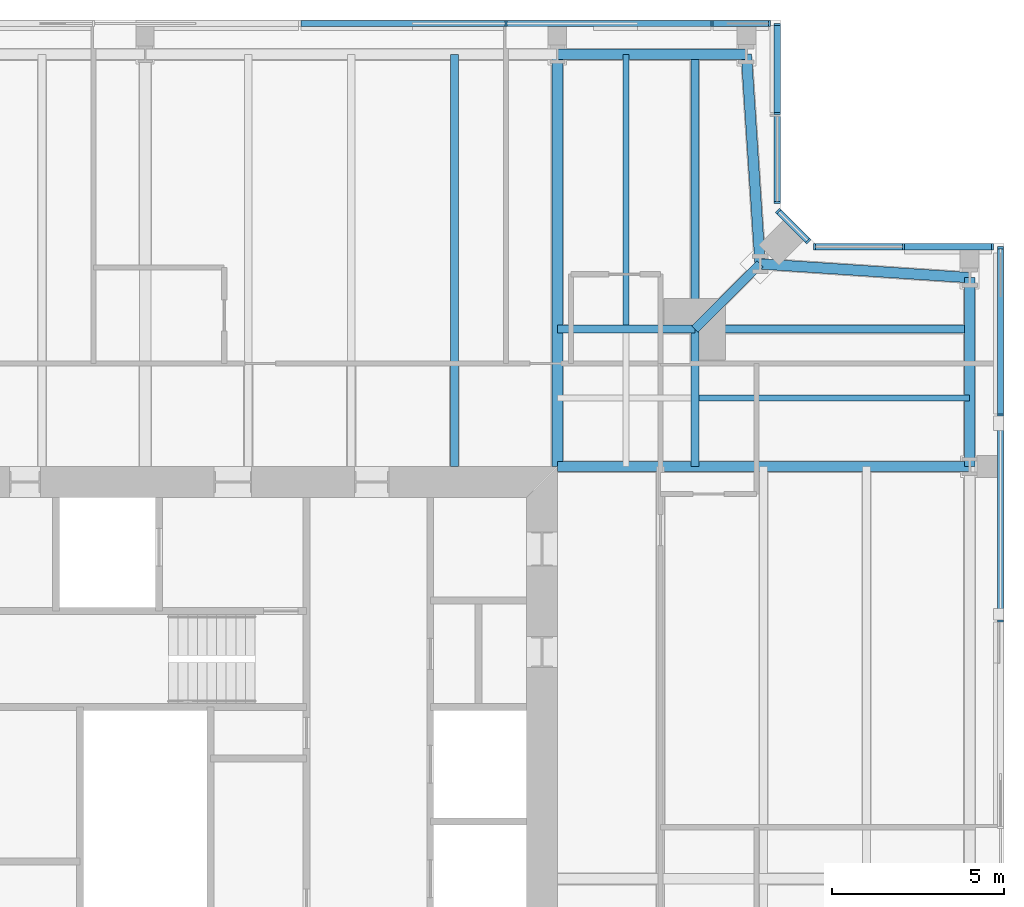
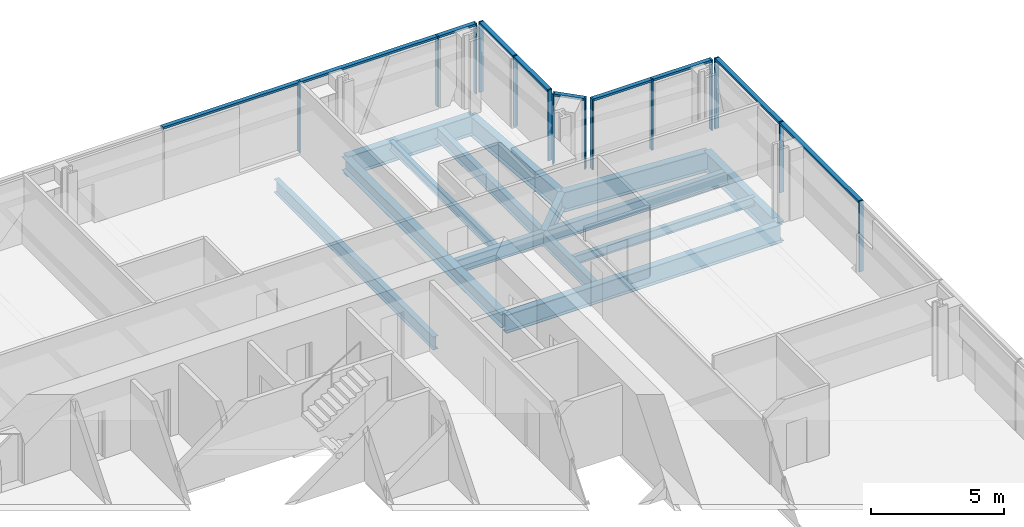
# One storey, part 9 of 20: 24 members, 14 beams, 5 elements without a shape of their own.
"""IFC4 building model written with IfcOpenShell, lengths in metres."""

import ifcopenshell
import ifcopenshell.guid

model = None  # the IFC model being written
_history = None  # IfcOwnerHistory: only IFC2X3 demands one
_inside = {}  # id of a spatial element -> (the spatial element, [elements in it])
_under = {}  # id of a project, library or spatial element -> (it, [spatial elements below it])
_declared = {}  # id of a project -> (the project, [libraries it declares])
_typed = {}  # id of a type object -> (the type object, [elements of that type])
_made_of = {}  # id of a material, layer set ... -> (it, [elements and type objects made of it])


def new_model(schema):
    """Start an empty IFC model of exactly this schema.

    Asked for "IFC4X3", IfcOpenShell would pick the latest addendum, in which some entities
    have other attributes; the version numbers below select the first issue.
    IFC2X3 requires an IfcOwnerHistory on every rooted entity: one is made here for all.
    """
    global model, _history
    if schema == "IFC4X3":
        model = ifcopenshell.file(schema_version=(4, 3, 0, 0))
    else:
        model = ifcopenshell.file(schema=schema)
    _inside.clear()
    _under.clear()
    _declared.clear()
    _typed.clear()
    _made_of.clear()
    _history = None
    if model.schema == "IFC2X3":
        org = make("IfcOrganization", Name="unknown")
        user = make(
            "IfcPersonAndOrganization",
            ThePerson=make("IfcPerson", FamilyName="unknown"),
            TheOrganization=org,
        )
        app = make(
            "IfcApplication",
            ApplicationDeveloper=org,
            Version="unknown",
            ApplicationFullName="unknown",
            ApplicationIdentifier="unknown",
        )
        _history = make(
            "IfcOwnerHistory",
            OwningUser=user,
            OwningApplication=app,
            ChangeAction="ADDED",
            CreationDate=0,
        )
    return model


def make(cls, **values):
    """One entity of the class cls with the attributes given. An attribute that is None is left unset."""
    return model.create_entity(
        cls, **{name: value for name, value in values.items() if value is not None}
    )


def rooted(cls, **values):
    """An entity with a GlobalId (a new one), such as an element, a storey or a relation."""
    return make(cls, GlobalId=ifcopenshell.guid.new(), OwnerHistory=_history, **values)


def si_unit(unit_type, name, prefix=None):
    """IfcSIUnit, for example si_unit("LENGTHUNIT", "METRE", prefix="MILLI")."""
    return make("IfcSIUnit", UnitType=unit_type, Prefix=prefix, Name=name)


def assignment(units):
    """IfcUnitAssignment: the units of a project."""
    return None if units is None else make("IfcUnitAssignment", Units=units)


def point(xyz):
    """IfcCartesianPoint."""
    return None if xyz is None else make("IfcCartesianPoint", Coordinates=xyz)


def direction(xyz):
    """IfcDirection."""
    return None if xyz is None else make("IfcDirection", DirectionRatios=xyz)


def frame(location, z_axis=None, x_axis=None):
    """IfcAxis2Placement3D, a coordinate frame: its origin and axes. An axis left out is left unset."""
    return make(
        "IfcAxis2Placement3D",
        Location=point(location),
        Axis=direction(z_axis),
        RefDirection=direction(x_axis),
    )


def frame_2d(location, x_axis=None):
    """IfcAxis2Placement2D, a coordinate frame in the plane: its origin and x axis."""
    return make(
        "IfcAxis2Placement2D", Location=point(location), RefDirection=direction(x_axis)
    )


def origin():
    """The frame at (0, 0, 0) with its axes left unset."""
    return frame((0.0, 0.0, 0.0))


def origin_2d():
    """The frame at (0, 0) in the plane with its x axis left unset."""
    return frame_2d((0.0, 0.0))


def place(relative_to, where):
    """IfcLocalPlacement: puts the frame where relative to a parent placement (None: the world)."""
    return make(
        "IfcLocalPlacement", PlacementRelTo=relative_to, RelativePlacement=where
    )


def context(
    kind, dimensions, precision=None, world=None, true_north=None, identifier=None
):
    """IfcGeometricRepresentationContext, for example the 3D "Model" context."""
    return make(
        "IfcGeometricRepresentationContext",
        ContextIdentifier=identifier,
        ContextType=kind,
        CoordinateSpaceDimension=dimensions,
        Precision=precision,
        WorldCoordinateSystem=world,
        TrueNorth=true_north,
    )


def subcontext(parent, identifier, kind, view, scale=None):
    """IfcGeometricRepresentationSubContext, for example "Body" below "Model"."""
    return make(
        "IfcGeometricRepresentationSubContext",
        ContextIdentifier=identifier,
        ContextType=kind,
        ParentContext=parent,
        TargetScale=scale,
        TargetView=view,
    )


def project(units=None, contexts=None):
    """IfcProject with its units and contexts."""
    return rooted(
        "IfcProject",
        Name="project",
        RepresentationContexts=contexts,
        UnitsInContext=assignment(units),
    )


def spatial(cls, under=None, at=None, **own):
    """A site, building, storey or space (cls), placed at a placement, below another one or the project."""
    s = rooted(cls, ObjectPlacement=at, **own)
    if under is not None:
        _under.setdefault(under.id(), (under, []))[1].append(s)
    return s


def profile(cls, at=None, kind="AREA", **sizes):
    """A parametric profile (cls). Its sizes go by their IFC names, for example OverallWidth=200.0."""
    return make(cls, ProfileType=kind, Position=at, **sizes)


def rectangle(**sizes):
    """IfcRectangleProfileDef."""
    return profile("IfcRectangleProfileDef", **sizes)


def i_section(**sizes):
    """IfcIShapeProfileDef."""
    return profile("IfcIShapeProfileDef", **sizes)


def extrude(swept, where, along, depth):
    """IfcExtrudedAreaSolid: the profile swept, set in the frame where, extruded along a direction by depth."""
    return make(
        "IfcExtrudedAreaSolid",
        SweptArea=swept,
        Position=where,
        ExtrudedDirection=direction(along),
        Depth=depth,
    )


def shape(context_of_items, identifier, shape_type, items):
    """IfcShapeRepresentation: the items that make up one representation, for example the "Body"."""
    return make(
        "IfcShapeRepresentation",
        ContextOfItems=context_of_items,
        RepresentationIdentifier=identifier,
        RepresentationType=shape_type,
        Items=items,
    )


def material(Name=None, Category=None):
    """IfcMaterial."""
    return make("IfcMaterial", Name=Name, Category=Category)


def material_profile(
    of_material, cross_section, Name=None, Category=None, Priority=None
):
    """IfcMaterialProfile: a cross section and its material."""
    return make(
        "IfcMaterialProfile",
        Name=Name,
        Material=of_material,
        Profile=cross_section,
        Priority=Priority,
        Category=Category,
    )


def profile_set(profiles, Name=None, composite=None):
    """IfcMaterialProfileSet."""
    return make(
        "IfcMaterialProfileSet",
        Name=Name,
        MaterialProfiles=profiles,
        CompositeProfile=composite,
    )


def made_of(thing, what):
    """Note that an element or type object is made of a material, layer set ...; save() writes the relation."""
    if what is not None:
        _made_of.setdefault(what.id(), (what, []))[1].append(thing)
    return thing


def type_object(cls, material=None, **own):
    """A type object (cls), such as IfcWallType, which elements share."""
    return made_of(rooted(cls, **own), material)


def element(
    cls,
    number,
    at=None,
    inside=None,
    cuts=None,
    type_object=None,
    material=None,
    context=None,
    identifier="Body",
    shape_type=None,
    held_by="IfcProductDefinitionShape",
    body=None,
    shapes=None,
    **own,
):
    """One element of the class cls, such as IfcWall. Its Tag is "e" and its number.

    at: its placement. inside: the storey or other place that contains it. cuts: it is an
    opening in that element (IfcRelVoidsElement). A single representation is given by context,
    identifier, shape_type and body (its items); several are given by shapes. held_by: the class
    of the entity that holds the representations. save() writes the other relations.
    """
    e = rooted(cls, Tag="e%d" % number, ObjectPlacement=at, **own)
    if body is not None:
        shapes = [shape(context, identifier, shape_type, body)]
    if shapes is not None:
        e.Representation = make(held_by, Representations=shapes)
    if inside is not None:
        _inside.setdefault(inside.id(), (inside, []))[1].append(e)
    if cuts is not None:
        rooted(
            "IfcRelVoidsElement", RelatingBuildingElement=cuts, RelatedOpeningElement=e
        )
    if type_object is not None:
        _typed.setdefault(type_object.id(), (type_object, []))[1].append(e)
    return made_of(e, material)


def aggregate(whole, parts):
    """IfcRelAggregates: a whole, such as a stair, and the parts it consists of."""
    return rooted("IfcRelAggregates", RelatingObject=whole, RelatedObjects=parts)


def save(model, path):
    """Write the relations noted so far, then the file.

    IfcRelAggregates (storeys below a building ...), IfcRelContainedInSpatialStructure (elements
    in a storey), IfcRelDefinesByType, IfcRelAssociatesMaterial and IfcRelDeclares: one each for
    every whole, place, type object, material and project.
    """
    for whole, parts in _under.values():
        aggregate(whole, parts)
    for where, things in _inside.values():
        rooted(
            "IfcRelContainedInSpatialStructure",
            RelatedElements=things,
            RelatingStructure=where,
        )
    for kind, things in _typed.values():
        rooted("IfcRelDefinesByType", RelatedObjects=things, RelatingType=kind)
    for what, things in _made_of.values():
        rooted("IfcRelAssociatesMaterial", RelatedObjects=things, RelatingMaterial=what)
    for by, libraries in _declared.values():
        rooted("IfcRelDeclares", RelatingContext=by, RelatedDefinitions=libraries)
    model.write(path)


model = new_model("IFC4")

# Units and contexts
model_context = context("Model", 3, precision=1e-05, world=origin(), true_north=direction((0.0, 1.0)))
body_context = subcontext(model_context, "Body", "Model", "MODEL_VIEW")
ifc_project = project(units=[si_unit("LENGTHUNIT", "METRE"), si_unit("AREAUNIT", "SQUARE_METRE"), si_unit("VOLUMEUNIT", "CUBIC_METRE"), si_unit("PLANEANGLEUNIT", "RADIAN"), si_unit("MASSUNIT", "GRAM", prefix="KILO")], contexts=[model_context])

# Site, building, storey
site_placement = place(None, origin())
site = spatial("IfcSite", under=ifc_project, at=site_placement, CompositionType="ELEMENT")
building_placement = place(site_placement, origin())
building = spatial("IfcBuilding", under=site, at=building_placement, Name="Fenwick Lantern Interchange", CompositionType="ELEMENT")
storey_placement = place(building_placement, frame((0.0, 0.0, 276.39990234375)))
storey = spatial("IfcBuildingStorey", under=building, at=storey_placement, Name="L66", CompositionType="ELEMENT", Elevation=276.39990234375)

# Beams
ifc_material_1 = material(Name="Steel ASTM A992 Grade 50", Category="steel")
ifc_material_profile_1 = material_profile(ifc_material_1, i_section(OverallWidth=0.3046875, OverallDepth=0.911865234375, WebThickness=0.015869140625, FlangeThickness=0.02392578125, at=origin_2d()), Name="W36X150")
ifc_profile_set_1 = profile_set([ifc_material_profile_1], Name="Steel ASTM A992 Grade 50")
beam_type_1 = type_object("IfcBeamType", Name="EDGE BEAM W36X150", PredefinedType="SPANDREL", material=ifc_profile_set_1)
beam_1_placement = place(storey_placement, frame((49.0, 37.0, -0.605712890625), z_axis=(0.0, 1.0, 0.0), x_axis=(-1.0, 0.0, 0.0)))
element("IfcBeam", 1, at=beam_1_placement, inside=storey, type_object=beam_type_1, Name="L66/FR/E/EB4", PredefinedType="SPANDREL", context=body_context, shape_type="SweptSolid", body=[
    extrude(i_section(OverallWidth=0.3046875, OverallDepth=0.911865234375, WebThickness=0.015869140625, FlangeThickness=0.02392578125, at=origin_2d()), origin(), (0.0, 0.0, 1.0), 5.5),
])
for number, where, z_axis, x_axis, name in (
    (2, (49.0, 42.5, -0.605712890625), (-0.997858060337, 0.065416293237, 0.0), (-0.065416293237, -0.997858060337, 0.0), "L66/FR/E/EBR1"),
    (3, (42.89990234375, 42.89990234375, -0.605712890625), (-0.065416293237, 0.997858060337, 0.0), (-0.997858060337, -0.065416293237, 0.0), "L66/FR/E/EBR2"),
):
    element("IfcBeam", number, at=place(storey_placement, frame(where, z_axis=z_axis, x_axis=x_axis)), inside=storey, type_object=beam_type_1, Name=name, PredefinedType="SPANDREL", context=body_context, shape_type="SweptSolid", body=[
        extrude(i_section(OverallWidth=0.3046875, OverallDepth=0.911865234375, WebThickness=0.015869140625, FlangeThickness=0.02392578125, at=origin_2d()), origin(), (0.0, 0.0, 1.0), 6.11328125),
    ])
beam_2_placement = place(storey_placement, frame((42.5, 49.0, -0.605712890625), z_axis=(-1.0, 0.0, 0.0), x_axis=(0.0, -1.0, 0.0)))
element("IfcBeam", 4, at=beam_2_placement, inside=storey, type_object=beam_type_1, Name="L66/FR/N/EB1", PredefinedType="SPANDREL", context=body_context, shape_type="SweptSolid", body=[
    extrude(i_section(OverallWidth=0.3046875, OverallDepth=0.911865234375, WebThickness=0.015869140625, FlangeThickness=0.02392578125, at=origin_2d()), origin(), (0.0, 0.0, 1.0), 5.5),
])
ifc_material_profile_2 = material_profile(ifc_material_1, i_section(OverallWidth=0.22900390625, OverallDepth=0.612060546875, WebThickness=0.011962890625, FlangeThickness=0.01953125, at=origin_2d()), Name="W24X84")
ifc_profile_set_2 = profile_set([ifc_material_profile_2], Name="Steel ASTM A992 Grade 50")
beam_type_2 = type_object("IfcBeamType", Name="FLOOR BEAM W24X84", PredefinedType="BEAM", material=ifc_profile_set_2)
beam_3_placement = place(storey_placement, frame((34.0, 49.0, -0.4560546875), z_axis=(0.0, -1.0, 0.0), x_axis=(1.0, 0.0, 0.0)))
element("IfcBeam", 5, at=beam_3_placement, inside=storey, type_object=beam_type_2, Name="L66/FR/N/R02", PredefinedType="BEAM", context=body_context, shape_type="SweptSolid", body=[
    extrude(i_section(OverallWidth=0.22900390625, OverallDepth=0.612060546875, WebThickness=0.011962890625, FlangeThickness=0.01953125, at=origin_2d()), origin(), (0.0, 0.0, 1.0), 12.0),
])

# Curtain wall, members
ifc_material_2 = material(Name="Aluminium curtain wall frame", Category="aluminium")
curtain_wall_type = type_object("IfcCurtainWallType", Name="HOTEL CURTAIN WALL", PredefinedType="USERDEFINED", material=ifc_material_2)
curtain_wall_1_placement = place(storey_placement, origin())
curtain_wall_1 = element("IfcCurtainWall", 6, at=curtain_wall_1_placement, inside=storey, type_object=curtain_wall_type, Name="Hotel curtain wall 05", ObjectType="HOTEL CURTAIN WALL", PredefinedType="USERDEFINED")
ifc_material_3 = material(Name="Aluminium extrusion", Category="aluminium")
ifc_material_profile_3 = material_profile(ifc_material_3, rectangle(XDim=0.179931640625, YDim=0.06005859375, at=origin_2d()), Name="HOTEL CURTAIN WALL MULLION 60 X 180")
ifc_profile_set_3 = profile_set([ifc_material_profile_3], Name="Aluminium extrusion")
member_type_1 = type_object("IfcMemberType", Name="HOTEL CURTAIN WALL MULLION 60 X 180", PredefinedType="MULLION", material=ifc_profile_set_3)
member_1_placement = place(storey_placement, frame((49.89990234375, 32.5, 0.0), z_axis=(0.0, 0.0, 1.0), x_axis=(-1.0, 0.0, 0.0)))
member_1 = element("IfcMember", 7, at=member_1_placement, type_object=member_type_1, Name="L66/CW/05/M05", PredefinedType="MULLION", context=body_context, shape_type="SweptSolid", body=[
    extrude(rectangle(XDim=0.179931640625, YDim=0.06005859375, at=origin_2d()), origin(), (0.0, 0.0, 1.0), 3.25),
])
member_2_placement = place(storey_placement, frame((49.89990234375, 38.5, 0.0), z_axis=(0.0, 0.0, 1.0), x_axis=(-1.0, 0.0, 0.0)))
member_2 = element("IfcMember", 8, at=member_2_placement, type_object=member_type_1, Name="L66/CW/05/M06", PredefinedType="MULLION", context=body_context, shape_type="SweptSolid", body=[
    extrude(rectangle(XDim=0.179931640625, YDim=0.06005859375, at=origin_2d()), origin(), (0.0, 0.0, 1.0), 3.25),
])
member_3_placement = place(storey_placement, frame((49.89990234375, 43.3701171875, 0.0), z_axis=(0.0, 0.0, 1.0), x_axis=(-1.0, 0.0, 0.0)))
member_3 = element("IfcMember", 9, at=member_3_placement, type_object=member_type_1, Name="L66/CW/05/M07", PredefinedType="MULLION", context=body_context, shape_type="SweptSolid", body=[
    extrude(rectangle(XDim=0.179931640625, YDim=0.06005859375, at=origin_2d()), origin(), (0.0, 0.0, 1.0), 3.25),
])

curtain_wall_2_placement = place(storey_placement, origin())
curtain_wall_2 = element("IfcCurtainWall", 10, at=curtain_wall_2_placement, inside=storey, type_object=curtain_wall_type, Name="Hotel curtain wall 06", ObjectType="HOTEL CURTAIN WALL", PredefinedType="USERDEFINED")
member_4_placement = place(storey_placement, frame((49.669921875, 43.39990234375, 0.0), z_axis=(0.0, 0.0, 1.0), x_axis=(0.0, -1.0, 0.0)))
member_4 = element("IfcMember", 11, at=member_4_placement, type_object=member_type_1, Name="L66/CW/06/M00", PredefinedType="MULLION", context=body_context, shape_type="SweptSolid", body=[
    extrude(rectangle(XDim=0.179931640625, YDim=0.06005859375, at=origin_2d()), origin(), (0.0, 0.0, 1.0), 3.25),
])
member_5_placement = place(storey_placement, frame((47.079345703125, 43.39990234375, 0.0), z_axis=(0.0, 0.0, 1.0), x_axis=(0.0, -1.0, 0.0)))
member_5 = element("IfcMember", 12, at=member_5_placement, type_object=member_type_1, Name="L66/CW/06/M01", PredefinedType="MULLION", context=body_context, shape_type="SweptSolid", body=[
    extrude(rectangle(XDim=0.179931640625, YDim=0.06005859375, at=origin_2d()), origin(), (0.0, 0.0, 1.0), 3.25),
])
member_6_placement = place(storey_placement, frame((44.488525390625, 43.39990234375, 0.0), z_axis=(0.0, 0.0, 1.0), x_axis=(0.0, -1.0, 0.0)))
member_6 = element("IfcMember", 13, at=member_6_placement, type_object=member_type_1, Name="L66/CW/06/M02", PredefinedType="MULLION", context=body_context, shape_type="SweptSolid", body=[
    extrude(rectangle(XDim=0.179931640625, YDim=0.06005859375, at=origin_2d()), origin(), (0.0, 0.0, 1.0), 3.25),
])

curtain_wall_3_placement = place(storey_placement, origin())
curtain_wall_3 = element("IfcCurtainWall", 14, at=curtain_wall_3_placement, inside=storey, type_object=curtain_wall_type, Name="Hotel curtain wall 07", ObjectType="HOTEL CURTAIN WALL", PredefinedType="USERDEFINED")
member_7_placement = place(storey_placement, frame((44.2958984375, 43.562744140625, 0.0), z_axis=(0.0, 0.0, 1.0), x_axis=(-0.707106781187, -0.707106781187, 0.0)))
member_7 = element("IfcMember", 15, at=member_7_placement, type_object=member_type_1, Name="L66/CW/07/M00", PredefinedType="MULLION", context=body_context, shape_type="SweptSolid", body=[
    extrude(rectangle(XDim=0.179931640625, YDim=0.06005859375, at=origin_2d()), origin(), (0.0, 0.0, 1.0), 3.25),
])
member_8_placement = place(storey_placement, frame((43.421142578125, 44.437255859375, 0.0), z_axis=(0.0, 0.0, 1.0), x_axis=(-0.707106781187, -0.707106781187, 0.0)))
member_8 = element("IfcMember", 16, at=member_8_placement, type_object=member_type_1, Name="L66/CW/07/M01", PredefinedType="MULLION", context=body_context, shape_type="SweptSolid", body=[
    extrude(rectangle(XDim=0.179931640625, YDim=0.06005859375, at=origin_2d()), origin(), (0.0, 0.0, 1.0), 3.25),
])

curtain_wall_4_placement = place(storey_placement, origin())
curtain_wall_4 = element("IfcCurtainWall", 17, at=curtain_wall_4_placement, inside=storey, type_object=curtain_wall_type, Name="Hotel curtain wall 08", ObjectType="HOTEL CURTAIN WALL", PredefinedType="USERDEFINED")
member_9_placement = place(storey_placement, frame((43.39990234375, 44.6884765625, 0.0), z_axis=(0.0, 0.0, 1.0), x_axis=(-1.0, 0.0, 0.0)))
member_9 = element("IfcMember", 18, at=member_9_placement, type_object=member_type_1, Name="L66/CW/08/M00", PredefinedType="MULLION", context=body_context, shape_type="SweptSolid", body=[
    extrude(rectangle(XDim=0.179931640625, YDim=0.06005859375, at=origin_2d()), origin(), (0.0, 0.0, 1.0), 3.25),
])
member_10_placement = place(storey_placement, frame((43.39990234375, 47.279296875, 0.0), z_axis=(0.0, 0.0, 1.0), x_axis=(-1.0, 0.0, 0.0)))
member_10 = element("IfcMember", 19, at=member_10_placement, type_object=member_type_1, Name="L66/CW/08/M01", PredefinedType="MULLION", context=body_context, shape_type="SweptSolid", body=[
    extrude(rectangle(XDim=0.179931640625, YDim=0.06005859375, at=origin_2d()), origin(), (0.0, 0.0, 1.0), 3.25),
])
member_11_placement = place(storey_placement, frame((43.39990234375, 49.8701171875, 0.0), z_axis=(0.0, 0.0, 1.0), x_axis=(-1.0, 0.0, 0.0)))
member_11 = element("IfcMember", 20, at=member_11_placement, type_object=member_type_1, Name="L66/CW/08/M02", PredefinedType="MULLION", context=body_context, shape_type="SweptSolid", body=[
    extrude(rectangle(XDim=0.179931640625, YDim=0.06005859375, at=origin_2d()), origin(), (0.0, 0.0, 1.0), 3.25),
])

curtain_wall_5_placement = place(storey_placement, origin())
curtain_wall_5 = element("IfcCurtainWall", 21, at=curtain_wall_5_placement, inside=storey, type_object=curtain_wall_type, Name="Hotel curtain wall 09", ObjectType="HOTEL CURTAIN WALL", PredefinedType="USERDEFINED")
member_12_placement = place(storey_placement, frame((43.169921875, 49.89990234375, 0.0), z_axis=(0.0, 0.0, 1.0), x_axis=(0.0, -1.0, 0.0)))
member_12 = element("IfcMember", 22, at=member_12_placement, type_object=member_type_1, Name="L66/CW/09/M00", PredefinedType="MULLION", context=body_context, shape_type="SweptSolid", body=[
    extrude(rectangle(XDim=0.179931640625, YDim=0.06005859375, at=origin_2d()), origin(), (0.0, 0.0, 1.0), 3.25),
])
member_13_placement = place(storey_placement, frame((41.5, 49.89990234375, 0.0), z_axis=(0.0, 0.0, 1.0), x_axis=(0.0, -1.0, 0.0)))
member_13 = element("IfcMember", 23, at=member_13_placement, type_object=member_type_1, Name="L66/CW/09/M01", PredefinedType="MULLION", context=body_context, shape_type="SweptSolid", body=[
    extrude(rectangle(XDim=0.179931640625, YDim=0.06005859375, at=origin_2d()), origin(), (0.0, 0.0, 1.0), 3.25),
])
member_14_placement = place(storey_placement, frame((35.5, 49.89990234375, 0.0), z_axis=(0.0, 0.0, 1.0), x_axis=(0.0, -1.0, 0.0)))
member_14 = element("IfcMember", 24, at=member_14_placement, type_object=member_type_1, Name="L66/CW/09/M02", PredefinedType="MULLION", context=body_context, shape_type="SweptSolid", body=[
    extrude(rectangle(XDim=0.179931640625, YDim=0.06005859375, at=origin_2d()), origin(), (0.0, 0.0, 1.0), 3.25),
])

# Member
ifc_material_profile_4 = material_profile(ifc_material_3, rectangle(XDim=0.179931640625, YDim=0.10009765625, at=origin_2d()), Name="HOTEL CURTAIN WALL TRANSOM 100 X 180")
ifc_profile_set_4 = profile_set([ifc_material_profile_4], Name="Aluminium extrusion")
member_type_2 = type_object("IfcMemberType", Name="HOTEL CURTAIN WALL TRANSOM 100 X 180", PredefinedType="MULLION", material=ifc_profile_set_4)
member_15_placement = place(storey_placement, frame((49.89990234375, 32.530029296875, 3.2001953125), z_axis=(0.0, 1.0, 0.0), x_axis=(-1.0, 0.0, 0.0)))
member_15 = element("IfcMember", 25, at=member_15_placement, type_object=member_type_2, Name="L66/CW/05/T05", PredefinedType="MULLION", context=body_context, shape_type="SweptSolid", body=[
    extrude(rectangle(XDim=0.179931640625, YDim=0.10009765625, at=origin_2d()), origin(), (0.0, 0.0, 1.0), 5.93994140625),
])

member_16_placement = place(storey_placement, frame((49.89990234375, 38.530029296875, 3.2001953125), z_axis=(0.0, 1.0, 0.0), x_axis=(-1.0, 0.0, 0.0)))
member_16 = element("IfcMember", 26, at=member_16_placement, type_object=member_type_2, Name="L66/CW/05/T06", PredefinedType="MULLION", context=body_context, shape_type="SweptSolid", body=[
    extrude(rectangle(XDim=0.179931640625, YDim=0.10009765625, at=origin_2d()), origin(), (0.0, 0.0, 1.0), 4.81005859375),
])

aggregate(curtain_wall_1, [member_1, member_2, member_3, member_15, member_16])

member_17_placement = place(storey_placement, frame((49.639892578125, 43.39990234375, 3.2001953125), z_axis=(-1.0, 0.0, 0.0), x_axis=(0.0, -1.0, 0.0)))
member_17 = element("IfcMember", 27, at=member_17_placement, type_object=member_type_2, Name="L66/CW/06/T00", PredefinedType="MULLION", context=body_context, shape_type="SweptSolid", body=[
    extrude(rectangle(XDim=0.179931640625, YDim=0.10009765625, at=origin_2d()), origin(), (0.0, 0.0, 1.0), 2.530517578125),
])

member_18_placement = place(storey_placement, frame((47.04931640625, 43.39990234375, 3.2001953125), z_axis=(-1.0, 0.0, 0.0), x_axis=(0.0, -1.0, 0.0)))
member_18 = element("IfcMember", 28, at=member_18_placement, type_object=member_type_2, Name="L66/CW/06/T01", PredefinedType="MULLION", context=body_context, shape_type="SweptSolid", body=[
    extrude(rectangle(XDim=0.179931640625, YDim=0.10009765625, at=origin_2d()), origin(), (0.0, 0.0, 1.0), 2.53076171875),
])

aggregate(curtain_wall_2, [member_4, member_5, member_6, member_17, member_18])

member_19_placement = place(storey_placement, frame((44.274658203125, 43.583740234375, 3.2001953125), z_axis=(-0.707003077033, 0.707210470133, 0.0), x_axis=(-0.707210470133, -0.707003077033, 0.0)))
member_19 = element("IfcMember", 29, at=member_19_placement, type_object=member_type_2, Name="L66/CW/07/T00", PredefinedType="MULLION", context=body_context, shape_type="SweptSolid", body=[
    extrude(rectangle(XDim=0.179931640625, YDim=0.10009765625, at=origin_2d()), origin(), (0.0, 0.0, 1.0), 1.17724609375),
])

aggregate(curtain_wall_3, [member_7, member_8, member_19])

member_20_placement = place(storey_placement, frame((43.39990234375, 44.718505859375, 3.2001953125), z_axis=(0.0, 1.0, 0.0), x_axis=(-1.0, 0.0, 0.0)))
member_20 = element("IfcMember", 30, at=member_20_placement, type_object=member_type_2, Name="L66/CW/08/T00", PredefinedType="MULLION", context=body_context, shape_type="SweptSolid", body=[
    extrude(rectangle(XDim=0.179931640625, YDim=0.10009765625, at=origin_2d()), origin(), (0.0, 0.0, 1.0), 2.53076171875),
])

member_21_placement = place(storey_placement, frame((43.39990234375, 47.309326171875, 3.2001953125), z_axis=(0.0, 1.0, 0.0), x_axis=(-1.0, 0.0, 0.0)))
member_21 = element("IfcMember", 31, at=member_21_placement, type_object=member_type_2, Name="L66/CW/08/T01", PredefinedType="MULLION", context=body_context, shape_type="SweptSolid", body=[
    extrude(rectangle(XDim=0.179931640625, YDim=0.10009765625, at=origin_2d()), origin(), (0.0, 0.0, 1.0), 2.53076171875),
])

aggregate(curtain_wall_4, [member_9, member_10, member_11, member_20, member_21])

member_22_placement = place(storey_placement, frame((43.139892578125, 49.89990234375, 3.2001953125), z_axis=(-1.0, 0.0, 0.0), x_axis=(0.0, -1.0, 0.0)))
member_22 = element("IfcMember", 32, at=member_22_placement, type_object=member_type_2, Name="L66/CW/09/T00", PredefinedType="MULLION", context=body_context, shape_type="SweptSolid", body=[
    extrude(rectangle(XDim=0.179931640625, YDim=0.10009765625, at=origin_2d()), origin(), (0.0, 0.0, 1.0), 1.60986328125),
])

member_23_placement = place(storey_placement, frame((41.469970703125, 49.89990234375, 3.2001953125), z_axis=(-1.0, 0.0, 0.0), x_axis=(0.0, -1.0, 0.0)))
member_23 = element("IfcMember", 33, at=member_23_placement, type_object=member_type_2, Name="L66/CW/09/T01", PredefinedType="MULLION", context=body_context, shape_type="SweptSolid", body=[
    extrude(rectangle(XDim=0.179931640625, YDim=0.10009765625, at=origin_2d()), origin(), (0.0, 0.0, 1.0), 5.93994140625),
])

member_24_placement = place(storey_placement, frame((35.469970703125, 49.89990234375, 3.2001953125), z_axis=(-1.0, 0.0, 0.0), x_axis=(0.0, -1.0, 0.0)))
member_24 = element("IfcMember", 34, at=member_24_placement, type_object=member_type_2, Name="L66/CW/09/T02", PredefinedType="MULLION", context=body_context, shape_type="SweptSolid", body=[
    extrude(rectangle(XDim=0.179931640625, YDim=0.10009765625, at=origin_2d()), origin(), (0.0, 0.0, 1.0), 5.93994140625),
])

aggregate(curtain_wall_5, [member_12, member_13, member_14, member_22, member_23, member_24])

# Beams
ifc_material_profile_5 = material_profile(ifc_material_1, i_section(OverallWidth=0.177734375, OverallDepth=0.406494140625, WebThickness=0.0078125, FlangeThickness=0.012939453125, at=origin_2d()), Name="W16X40")
ifc_profile_set_5 = profile_set([ifc_material_profile_5], Name="Steel ASTM A992 Grade 50")
beam_type_3 = type_object("IfcBeamType", Name="INFILL BEAM W16X40", PredefinedType="JOIST", material=ifc_profile_set_5)
for number, where, z_axis, x_axis, name in (
    (35, (39.0, 49.0, -0.35302734375), (0.0, -1.0, 0.0), (1.0, 0.0, 0.0), "L66/FR/N/J1"),
    (36, (49.0, 39.0, -0.35302734375), (-1.0, 0.0, 0.0), (0.0, -1.0, 0.0), "L66/FR/N/J3"),
):
    element("IfcBeam", number, at=place(storey_placement, frame(where, z_axis=z_axis, x_axis=x_axis)), inside=storey, type_object=beam_type_3, Name=name, PredefinedType="JOIST", context=body_context, shape_type="SweptSolid", body=[
        extrude(i_section(OverallWidth=0.177734375, OverallDepth=0.406494140625, WebThickness=0.0078125, FlangeThickness=0.012939453125, at=origin_2d()), origin(), (0.0, 0.0, 1.0), 7.885498046875),
    ])
ifc_material_profile_6 = material_profile(ifc_material_1, i_section(OverallWidth=0.22900390625, OverallDepth=0.612060546875, WebThickness=0.011962890625, FlangeThickness=0.01953125, at=origin_2d()), Name="W24X84")
ifc_profile_set_6 = profile_set([ifc_material_profile_6], Name="Steel ASTM A992 Grade 50")
beam_type_4 = type_object("IfcBeamType", Name="MEGA COLUMN BEAM W24X84", PredefinedType="BEAM", material=ifc_profile_set_6)
for number, where, z_axis, x_axis, name in (
    (37, (41.0, 41.0, -0.4560546875), (0.0, 1.0, 0.0), (-1.0, 0.0, 0.0), "L66/FR/N/MB1"),
    (38, (41.0, 41.0, -0.4560546875), (1.0, 0.0, 0.0), (0.0, 1.0, 0.0), "L66/FR/N/MB2"),
):
    element("IfcBeam", number, at=place(storey_placement, frame(where, z_axis=z_axis, x_axis=x_axis)), inside=storey, type_object=beam_type_4, Name=name, PredefinedType="BEAM", context=body_context, shape_type="SweptSolid", body=[
        extrude(i_section(OverallWidth=0.22900390625, OverallDepth=0.612060546875, WebThickness=0.011962890625, FlangeThickness=0.01953125, at=origin_2d()), origin(), (0.0, 0.0, 1.0), 8.0),
    ])
for number, where, z_axis, x_axis, name in (
    (39, (41.0, 41.0, -0.4560546875), (-1.0, 0.0, 0.0), (0.0, -1.0, 0.0), "L66/FR/N/MB3"),
    (40, (41.0, 41.0, -0.4560546875), (0.0, -1.0, 0.0), (1.0, 0.0, 0.0), "L66/FR/N/MB4"),
):
    element("IfcBeam", number, at=place(storey_placement, frame(where, z_axis=z_axis, x_axis=x_axis)), inside=storey, type_object=beam_type_4, Name=name, PredefinedType="BEAM", context=body_context, shape_type="SweptSolid", body=[
        extrude(i_section(OverallWidth=0.22900390625, OverallDepth=0.612060546875, WebThickness=0.011962890625, FlangeThickness=0.01953125, at=origin_2d()), origin(), (0.0, 0.0, 1.0), 4.0),
    ])
ifc_material_profile_7 = material_profile(ifc_material_1, i_section(OverallWidth=0.32763671875, OverallDepth=0.622314453125, WebThickness=0.015380859375, FlangeThickness=0.0244140625, at=origin_2d()), Name="W24X131")
ifc_profile_set_7 = profile_set([ifc_material_profile_7], Name="Steel ASTM A992 Grade 50")
beam_type_5 = type_object("IfcBeamType", Name="MOMENT-CONNECTED GIRDER W24X131", PredefinedType="BEAM", material=ifc_profile_set_7)
beam_4_placement = place(storey_placement, frame((37.0, 49.0, -0.4609375), z_axis=(0.0, -1.0, 0.0), x_axis=(1.0, 0.0, 0.0)))
element("IfcBeam", 41, at=beam_4_placement, inside=storey, type_object=beam_type_5, Name="L66/FR/N/R01", PredefinedType="BEAM", context=body_context, shape_type="SweptSolid", body=[
    extrude(i_section(OverallWidth=0.32763671875, OverallDepth=0.622314453125, WebThickness=0.015380859375, FlangeThickness=0.0244140625, at=origin_2d()), origin(), (0.0, 0.0, 1.0), 12.0),
])
ifc_material_profile_8 = material_profile(ifc_material_1, i_section(OverallWidth=0.2919921875, OverallDepth=0.845703125, WebThickness=0.015380859375, FlangeThickness=0.0244140625, at=origin_2d()), Name="W33X141")
ifc_profile_set_8 = profile_set([ifc_material_profile_8], Name="Steel ASTM A992 Grade 50")
beam_type_6 = type_object("IfcBeamType", Name="MOMENT-CONNECTED GIRDER W33X141", PredefinedType="BEAM", material=ifc_profile_set_8)
beam_5_placement = place(storey_placement, frame((49.0, 37.0, -0.57275390625), z_axis=(-1.0, 0.0, 0.0), x_axis=(0.0, -1.0, 0.0)))
element("IfcBeam", 42, at=beam_5_placement, inside=storey, type_object=beam_type_6, Name="L66/FR/E/R03", PredefinedType="BEAM", context=body_context, shape_type="SweptSolid", body=[
    extrude(i_section(OverallWidth=0.2919921875, OverallDepth=0.845703125, WebThickness=0.015380859375, FlangeThickness=0.0244140625, at=origin_2d()), origin(), (0.0, 0.0, 1.0), 12.0),
])
ifc_material_profile_9 = material_profile(ifc_material_1, i_section(OverallWidth=0.2666015625, OverallDepth=0.7568359375, WebThickness=0.013916015625, FlangeThickness=0.019287109375, at=origin_2d()), Name="W30X108")
ifc_profile_set_9 = profile_set([ifc_material_profile_9], Name="Steel ASTM A992 Grade 50")
beam_type_7 = type_object("IfcBeamType", Name="NOTCH BEAM W30X108", PredefinedType="BEAM", material=ifc_profile_set_9)
beam_6_placement = place(storey_placement, frame((41.0, 41.0, -0.5283203125), z_axis=(0.707106781187, 0.707106781187, 0.0), x_axis=(-0.707106781187, 0.707106781187, 0.0)))
element("IfcBeam", 43, at=beam_6_placement, inside=storey, type_object=beam_type_7, Name="L66/FR/N/TG", PredefinedType="BEAM", context=body_context, shape_type="SweptSolid", body=[
    extrude(i_section(OverallWidth=0.2666015625, OverallDepth=0.7568359375, WebThickness=0.013916015625, FlangeThickness=0.019287109375, at=origin_2d()), origin(), (0.0, 0.0, 1.0), 2.686767578125),
])

save(model, "model.ifc")
